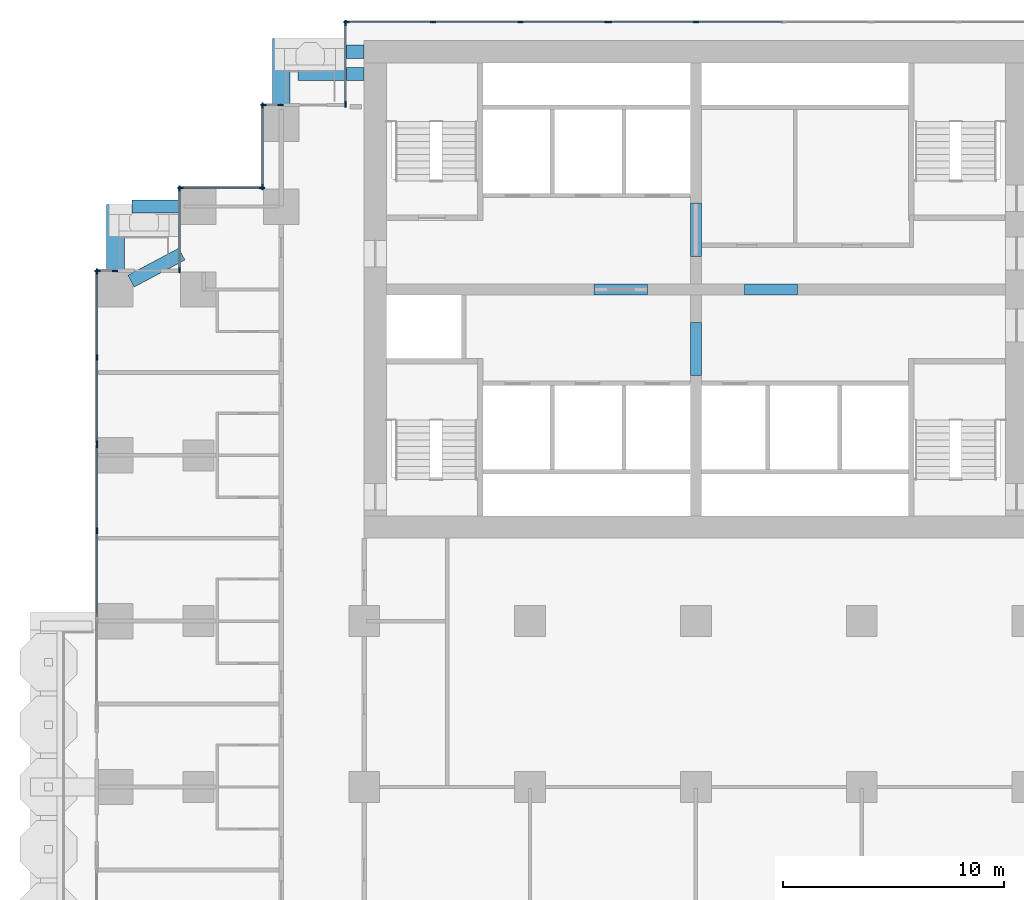
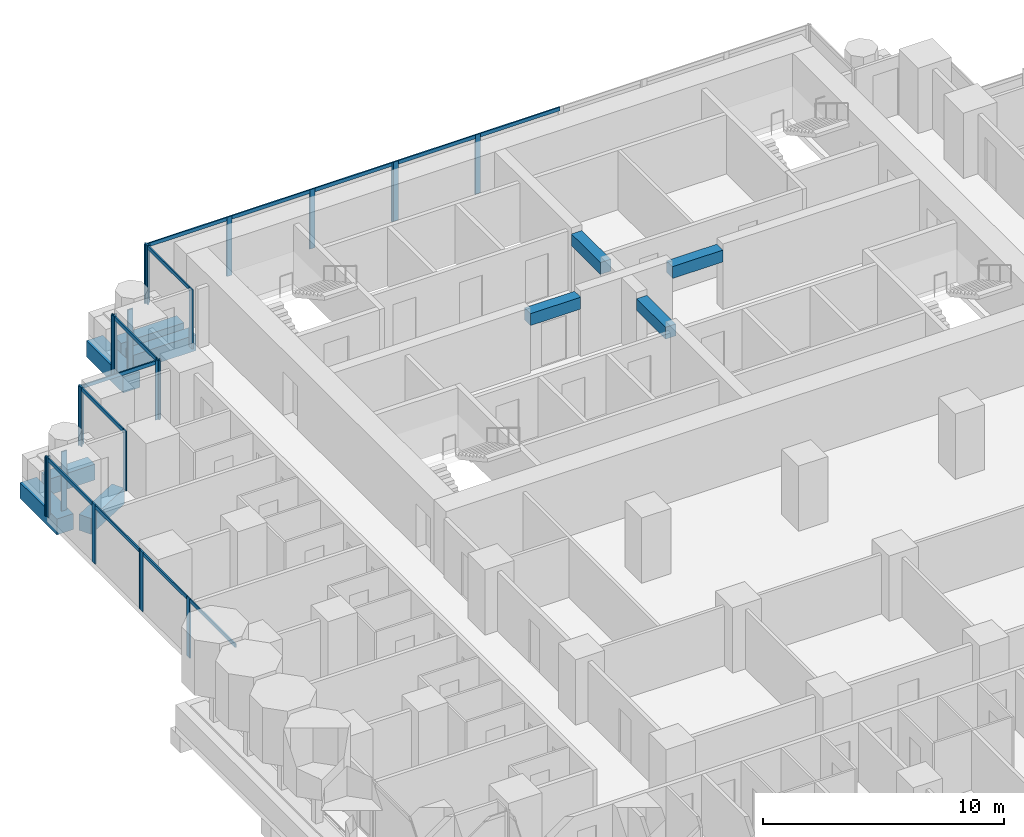
# One storey, part 4 of 19: 36 members, 10 beams, 10 elements without a shape of their own.
"""IFC4 building model written with IfcOpenShell, lengths in metres."""

import ifcopenshell
import ifcopenshell.guid

model = None  # the IFC model being written
_history = None  # IfcOwnerHistory: only IFC2X3 demands one
_inside = {}  # id of a spatial element -> (the spatial element, [elements in it])
_under = {}  # id of a project, library or spatial element -> (it, [spatial elements below it])
_declared = {}  # id of a project -> (the project, [libraries it declares])
_typed = {}  # id of a type object -> (the type object, [elements of that type])
_made_of = {}  # id of a material, layer set ... -> (it, [elements and type objects made of it])


def new_model(schema):
    """Start an empty IFC model of exactly this schema.

    Asked for "IFC4X3", IfcOpenShell would pick the latest addendum, in which some entities
    have other attributes; the version numbers below select the first issue.
    IFC2X3 requires an IfcOwnerHistory on every rooted entity: one is made here for all.
    """
    global model, _history
    if schema == "IFC4X3":
        model = ifcopenshell.file(schema_version=(4, 3, 0, 0))
    else:
        model = ifcopenshell.file(schema=schema)
    _inside.clear()
    _under.clear()
    _declared.clear()
    _typed.clear()
    _made_of.clear()
    _history = None
    if model.schema == "IFC2X3":
        org = make("IfcOrganization", Name="unknown")
        user = make(
            "IfcPersonAndOrganization",
            ThePerson=make("IfcPerson", FamilyName="unknown"),
            TheOrganization=org,
        )
        app = make(
            "IfcApplication",
            ApplicationDeveloper=org,
            Version="unknown",
            ApplicationFullName="unknown",
            ApplicationIdentifier="unknown",
        )
        _history = make(
            "IfcOwnerHistory",
            OwningUser=user,
            OwningApplication=app,
            ChangeAction="ADDED",
            CreationDate=0,
        )
    return model


def make(cls, **values):
    """One entity of the class cls with the attributes given. An attribute that is None is left unset."""
    return model.create_entity(
        cls, **{name: value for name, value in values.items() if value is not None}
    )


def rooted(cls, **values):
    """An entity with a GlobalId (a new one), such as an element, a storey or a relation."""
    return make(cls, GlobalId=ifcopenshell.guid.new(), OwnerHistory=_history, **values)


def si_unit(unit_type, name, prefix=None):
    """IfcSIUnit, for example si_unit("LENGTHUNIT", "METRE", prefix="MILLI")."""
    return make("IfcSIUnit", UnitType=unit_type, Prefix=prefix, Name=name)


def assignment(units):
    """IfcUnitAssignment: the units of a project."""
    return None if units is None else make("IfcUnitAssignment", Units=units)


def point(xyz):
    """IfcCartesianPoint."""
    return None if xyz is None else make("IfcCartesianPoint", Coordinates=xyz)


def direction(xyz):
    """IfcDirection."""
    return None if xyz is None else make("IfcDirection", DirectionRatios=xyz)


def frame(location, z_axis=None, x_axis=None):
    """IfcAxis2Placement3D, a coordinate frame: its origin and axes. An axis left out is left unset."""
    return make(
        "IfcAxis2Placement3D",
        Location=point(location),
        Axis=direction(z_axis),
        RefDirection=direction(x_axis),
    )


def frame_2d(location, x_axis=None):
    """IfcAxis2Placement2D, a coordinate frame in the plane: its origin and x axis."""
    return make(
        "IfcAxis2Placement2D", Location=point(location), RefDirection=direction(x_axis)
    )


def origin():
    """The frame at (0, 0, 0) with its axes left unset."""
    return frame((0.0, 0.0, 0.0))


def origin_2d():
    """The frame at (0, 0) in the plane with its x axis left unset."""
    return frame_2d((0.0, 0.0))


def place(relative_to, where):
    """IfcLocalPlacement: puts the frame where relative to a parent placement (None: the world)."""
    return make(
        "IfcLocalPlacement", PlacementRelTo=relative_to, RelativePlacement=where
    )


def context(
    kind, dimensions, precision=None, world=None, true_north=None, identifier=None
):
    """IfcGeometricRepresentationContext, for example the 3D "Model" context."""
    return make(
        "IfcGeometricRepresentationContext",
        ContextIdentifier=identifier,
        ContextType=kind,
        CoordinateSpaceDimension=dimensions,
        Precision=precision,
        WorldCoordinateSystem=world,
        TrueNorth=true_north,
    )


def subcontext(parent, identifier, kind, view, scale=None):
    """IfcGeometricRepresentationSubContext, for example "Body" below "Model"."""
    return make(
        "IfcGeometricRepresentationSubContext",
        ContextIdentifier=identifier,
        ContextType=kind,
        ParentContext=parent,
        TargetScale=scale,
        TargetView=view,
    )


def project(units=None, contexts=None):
    """IfcProject with its units and contexts."""
    return rooted(
        "IfcProject",
        Name="project",
        RepresentationContexts=contexts,
        UnitsInContext=assignment(units),
    )


def spatial(cls, under=None, at=None, **own):
    """A site, building, storey or space (cls), placed at a placement, below another one or the project."""
    s = rooted(cls, ObjectPlacement=at, **own)
    if under is not None:
        _under.setdefault(under.id(), (under, []))[1].append(s)
    return s


def profile(cls, at=None, kind="AREA", **sizes):
    """A parametric profile (cls). Its sizes go by their IFC names, for example OverallWidth=200.0."""
    return make(cls, ProfileType=kind, Position=at, **sizes)


def rectangle(**sizes):
    """IfcRectangleProfileDef."""
    return profile("IfcRectangleProfileDef", **sizes)


def extrude(swept, where, along, depth):
    """IfcExtrudedAreaSolid: the profile swept, set in the frame where, extruded along a direction by depth."""
    return make(
        "IfcExtrudedAreaSolid",
        SweptArea=swept,
        Position=where,
        ExtrudedDirection=direction(along),
        Depth=depth,
    )


def shape(context_of_items, identifier, shape_type, items):
    """IfcShapeRepresentation: the items that make up one representation, for example the "Body"."""
    return make(
        "IfcShapeRepresentation",
        ContextOfItems=context_of_items,
        RepresentationIdentifier=identifier,
        RepresentationType=shape_type,
        Items=items,
    )


def material(Name=None, Category=None):
    """IfcMaterial."""
    return make("IfcMaterial", Name=Name, Category=Category)


def material_profile(
    of_material, cross_section, Name=None, Category=None, Priority=None
):
    """IfcMaterialProfile: a cross section and its material."""
    return make(
        "IfcMaterialProfile",
        Name=Name,
        Material=of_material,
        Profile=cross_section,
        Priority=Priority,
        Category=Category,
    )


def profile_set(profiles, Name=None, composite=None):
    """IfcMaterialProfileSet."""
    return make(
        "IfcMaterialProfileSet",
        Name=Name,
        MaterialProfiles=profiles,
        CompositeProfile=composite,
    )


def made_of(thing, what):
    """Note that an element or type object is made of a material, layer set ...; save() writes the relation."""
    if what is not None:
        _made_of.setdefault(what.id(), (what, []))[1].append(thing)
    return thing


def type_object(cls, material=None, **own):
    """A type object (cls), such as IfcWallType, which elements share."""
    return made_of(rooted(cls, **own), material)


def element(
    cls,
    number,
    at=None,
    inside=None,
    cuts=None,
    type_object=None,
    material=None,
    context=None,
    identifier="Body",
    shape_type=None,
    held_by="IfcProductDefinitionShape",
    body=None,
    shapes=None,
    **own,
):
    """One element of the class cls, such as IfcWall. Its Tag is "e" and its number.

    at: its placement. inside: the storey or other place that contains it. cuts: it is an
    opening in that element (IfcRelVoidsElement). A single representation is given by context,
    identifier, shape_type and body (its items); several are given by shapes. held_by: the class
    of the entity that holds the representations. save() writes the other relations.
    """
    e = rooted(cls, Tag="e%d" % number, ObjectPlacement=at, **own)
    if body is not None:
        shapes = [shape(context, identifier, shape_type, body)]
    if shapes is not None:
        e.Representation = make(held_by, Representations=shapes)
    if inside is not None:
        _inside.setdefault(inside.id(), (inside, []))[1].append(e)
    if cuts is not None:
        rooted(
            "IfcRelVoidsElement", RelatingBuildingElement=cuts, RelatedOpeningElement=e
        )
    if type_object is not None:
        _typed.setdefault(type_object.id(), (type_object, []))[1].append(e)
    return made_of(e, material)


def aggregate(whole, parts):
    """IfcRelAggregates: a whole, such as a stair, and the parts it consists of."""
    return rooted("IfcRelAggregates", RelatingObject=whole, RelatedObjects=parts)


def save(model, path):
    """Write the relations noted so far, then the file.

    IfcRelAggregates (storeys below a building ...), IfcRelContainedInSpatialStructure (elements
    in a storey), IfcRelDefinesByType, IfcRelAssociatesMaterial and IfcRelDeclares: one each for
    every whole, place, type object, material and project.
    """
    for whole, parts in _under.values():
        aggregate(whole, parts)
    for where, things in _inside.values():
        rooted(
            "IfcRelContainedInSpatialStructure",
            RelatedElements=things,
            RelatingStructure=where,
        )
    for kind, things in _typed.values():
        rooted("IfcRelDefinesByType", RelatedObjects=things, RelatingType=kind)
    for what, things in _made_of.values():
        rooted("IfcRelAssociatesMaterial", RelatedObjects=things, RelatingMaterial=what)
    for by, libraries in _declared.values():
        rooted("IfcRelDeclares", RelatingContext=by, RelatedDefinitions=libraries)
    model.write(path)


model = new_model("IFC4")

# Units and contexts
model_context = context("Model", 3, precision=1e-05, world=origin(), true_north=direction((0.0, 1.0)))
body_context = subcontext(model_context, "Body", "Model", "MODEL_VIEW")
ifc_project = project(units=[si_unit("LENGTHUNIT", "METRE"), si_unit("AREAUNIT", "SQUARE_METRE"), si_unit("VOLUMEUNIT", "CUBIC_METRE"), si_unit("PLANEANGLEUNIT", "RADIAN"), si_unit("MASSUNIT", "GRAM", prefix="KILO")], contexts=[model_context])

# Site, building, storey
site_placement = place(None, origin())
site = spatial("IfcSite", under=ifc_project, at=site_placement, CompositionType="ELEMENT")
building_placement = place(site_placement, origin())
building = spatial("IfcBuilding", under=site, at=building_placement, Name="Pilkhan Gate Tower", CompositionType="ELEMENT")
storey_placement = place(building_placement, frame((0.0, 0.0, 46.10009765625)))
storey = spatial("IfcBuildingStorey", under=building, at=storey_placement, Name="L08", CompositionType="ELEMENT", Elevation=46.10009765625)

# Beams
ifc_material_1 = material(Name="Concrete C50/60", Category="concrete")
ifc_material_profile_1 = material_profile(ifc_material_1, rectangle(XDim=0.60009765625, YDim=0.800048828125, at=origin_2d()), Name="RC 600x800")
ifc_profile_set_1 = profile_set([ifc_material_profile_1], Name="Concrete C50/60")
beam_type_1 = type_object("IfcBeamType", Name="Cantilever beam CB1 RC 600x800 C50/60", PredefinedType="BEAM", material=ifc_profile_set_1)
for number, where, z_axis, x_axis, name in (
    (1, (60.0, 93.25, -0.7001953125), (-1.0, 0.0, 0.0), (0.0, -1.0, 0.0), "Balcony beam NW.2 L08"),
    (2, (60.0, 92.25, -0.7001953125), (-1.0, 0.0, 0.0), (0.0, -1.0, 0.0), "Balcony beam NW.3 L08"),
):
    element("IfcBeam", number, at=place(storey_placement, frame(where, z_axis=z_axis, x_axis=x_axis)), inside=storey, type_object=beam_type_1, Name=name, PredefinedType="BEAM", context=body_context, shape_type="SweptSolid", body=[
        extrude(rectangle(XDim=0.60009765625, YDim=0.800048828125, at=origin_2d()), origin(), (0.0, 0.0, 1.0), 3.0),
    ])
beam_1_placement = place(storey_placement, frame((51.699951171875, 86.25, -0.7001953125), z_axis=(-1.0, 0.0, 0.0), x_axis=(0.0, -1.0, 0.0)))
element("IfcBeam", 3, at=beam_1_placement, inside=storey, type_object=beam_type_1, Name="Balcony beam NW2.2 L08", PredefinedType="BEAM", context=body_context, shape_type="SweptSolid", body=[
    extrude(rectangle(XDim=0.60009765625, YDim=0.800048828125, at=origin_2d()), origin(), (0.0, 0.0, 1.0), 2.199951171875),
])
beam_2_placement = place(storey_placement, frame((49.455810546875, 82.87646484375, -0.7001953125), z_axis=(0.882342544151, 0.470607729199, 0.0), x_axis=(-0.470607729199, 0.882342544151, 0.0)))
element("IfcBeam", 4, at=beam_2_placement, inside=storey, type_object=beam_type_1, Name="Balcony beam NW2.3 L08", PredefinedType="BEAM", context=body_context, shape_type="SweptSolid", body=[
    extrude(rectangle(XDim=0.60009765625, YDim=0.800048828125, at=origin_2d()), origin(), (0.0, 0.0, 1.0), 2.60009765625),
])
ifc_material_profile_2 = material_profile(ifc_material_1, rectangle(XDim=0.800048828125, YDim=0.800048828125, at=origin_2d()), Name="RC 800x800")
ifc_profile_set_2 = profile_set([ifc_material_profile_2], Name="Concrete C50/60")
beam_type_2 = type_object("IfcBeamType", Name="Cantilever beam CB2 RC 800x800 C50/60", PredefinedType="BEAM", material=ifc_profile_set_2)
for number, where, z_axis, x_axis, name in (
    (5, (56.25, 90.800048828125, -0.7001953125), (0.0, 1.0, 0.0), (-1.0, 0.0, 0.0), "Balcony beam NW.1 L08"),
    (6, (48.75, 83.300048828125, -0.7001953125), (0.0, 1.0, 0.0), (-1.0, 0.0, 0.0), "Balcony beam NW2.1 L08"),
):
    element("IfcBeam", number, at=place(storey_placement, frame(where, z_axis=z_axis, x_axis=x_axis)), inside=storey, type_object=beam_type_2, Name=name, PredefinedType="BEAM", context=body_context, shape_type="SweptSolid", body=[
        extrude(rectangle(XDim=0.800048828125, YDim=0.800048828125, at=origin_2d()), origin(), (0.0, 0.0, 1.0), 3.050048828125),
    ])
ifc_material_2 = material(Name="Concrete C70/85", Category="concrete")
ifc_material_profile_3 = material_profile(ifc_material_2, rectangle(XDim=0.5, YDim=0.60009765625, at=origin_2d()), Name="RC 500x600")
ifc_profile_set_3 = profile_set([ifc_material_profile_3], Name="Concrete C70/85")
beam_type_3 = type_object("IfcBeamType", Name="Coupling beam CB60 RC 500x600 C70/85", PredefinedType="LINTEL", material=ifc_profile_set_3)
for number, where, z_axis, x_axis, name in (
    (7, (70.39990234375, 82.5, 2.699951171875), (1.0, 0.0, 0.0), (0.0, 1.0, 0.0), "Coupling beam 1 L08"),
    (8, (77.199951171875, 82.5, 2.699951171875), (1.0, 0.0, 0.0), (0.0, 1.0, 0.0), "Coupling beam 2 L08"),
):
    element("IfcBeam", number, at=place(storey_placement, frame(where, z_axis=z_axis, x_axis=x_axis)), inside=storey, type_object=beam_type_3, Name=name, PredefinedType="LINTEL", context=body_context, shape_type="SweptSolid", body=[
        extrude(rectangle(XDim=0.5, YDim=0.60009765625, at=origin_2d()), origin(), (0.0, 0.0, 1.0), 2.400146484375),
    ])
for number, where, z_axis, x_axis, name in (
    (9, (75.0, 78.60009765625, 2.699951171875), (0.0, 1.0, 0.0), (-1.0, 0.0, 0.0), "Coupling beam 3 L08"),
    (10, (75.0, 84.0, 2.699951171875), (0.0, 1.0, 0.0), (-1.0, 0.0, 0.0), "Coupling beam 4 L08"),
):
    element("IfcBeam", number, at=place(storey_placement, frame(where, z_axis=z_axis, x_axis=x_axis)), inside=storey, type_object=beam_type_3, Name=name, PredefinedType="LINTEL", context=body_context, shape_type="SweptSolid", body=[
        extrude(rectangle(XDim=0.5, YDim=0.60009765625, at=origin_2d()), origin(), (0.0, 0.0, 1.0), 2.39990234375),
    ])

# Curtain wall, members
ifc_material_3 = material(Name="Pale anodised aluminium, clear low-iron double glazing", Category="aluminium")
curtain_wall_type = type_object("IfcCurtainWallType", Name="Hotel unitised curtain wall CW-H", PredefinedType="USERDEFINED", material=ifc_material_3)
curtain_wall_1_placement = place(storey_placement, origin())
curtain_wall_1 = element("IfcCurtainWall", 11, at=curtain_wall_1_placement, inside=storey, type_object=curtain_wall_type, Name="Hotel unitised curtain wall CW-H L08 N", ObjectType="UNITISED CURTAIN WALL", PredefinedType="USERDEFINED")
ifc_material_4 = material(Name="Pale anodised aluminium", Category="aluminium")
ifc_material_profile_4 = material_profile(ifc_material_4, rectangle(XDim=0.06494140625, YDim=0.25, at=origin_2d()), Name="Mullion 250x65")
ifc_profile_set_4 = profile_set([ifc_material_profile_4], Name="Pale anodised aluminium")
member_type_1 = type_object("IfcMemberType", Name="Mullion CW-H 250x65", PredefinedType="MULLION", material=ifc_profile_set_4)
member_1_placement = place(storey_placement, frame((59.1875, 94.594970703125, 0.0), z_axis=(0.0, 0.0, 1.0), x_axis=(0.0, 1.0, 0.0)))
member_1 = element("IfcMember", 12, at=member_1_placement, type_object=member_type_1, Name="CW-H mullion 1", PredefinedType="MULLION", context=body_context, shape_type="SweptSolid", body=[
    extrude(rectangle(XDim=0.06494140625, YDim=0.25, at=origin_2d()), origin(), (0.0, 0.0, 1.0), 3.0),
])
member_2_placement = place(storey_placement, frame((63.1162109375, 94.594970703125, 0.0), z_axis=(0.0, 0.0, 1.0), x_axis=(0.0, 1.0, 0.0)))
member_2 = element("IfcMember", 13, at=member_2_placement, type_object=member_type_1, Name="CW-H mullion 2", PredefinedType="MULLION", context=body_context, shape_type="SweptSolid", body=[
    extrude(rectangle(XDim=0.06494140625, YDim=0.25, at=origin_2d()), origin(), (0.0, 0.0, 1.0), 3.0),
])
member_3_placement = place(storey_placement, frame((67.077392578125, 94.594970703125, 0.0), z_axis=(0.0, 0.0, 1.0), x_axis=(0.0, 1.0, 0.0)))
member_3 = element("IfcMember", 14, at=member_3_placement, type_object=member_type_1, Name="CW-H mullion 3", PredefinedType="MULLION", context=body_context, shape_type="SweptSolid", body=[
    extrude(rectangle(XDim=0.06494140625, YDim=0.25, at=origin_2d()), origin(), (0.0, 0.0, 1.0), 3.0),
])
member_4_placement = place(storey_placement, frame((71.00634765625, 94.594970703125, 0.0), z_axis=(0.0, 0.0, 1.0), x_axis=(0.0, 1.0, 0.0)))
member_4 = element("IfcMember", 15, at=member_4_placement, type_object=member_type_1, Name="CW-H mullion 4", PredefinedType="MULLION", context=body_context, shape_type="SweptSolid", body=[
    extrude(rectangle(XDim=0.06494140625, YDim=0.25, at=origin_2d()), origin(), (0.0, 0.0, 1.0), 3.0),
])

curtain_wall_2_placement = place(storey_placement, origin())
curtain_wall_2 = element("IfcCurtainWall", 16, at=curtain_wall_2_placement, inside=storey, type_object=curtain_wall_type, Name="Hotel unitised curtain wall CW-H L08 N", ObjectType="UNITISED CURTAIN WALL", PredefinedType="USERDEFINED")
member_5_placement = place(storey_placement, frame((71.0712890625, 94.594970703125, 0.0), z_axis=(0.0, 0.0, 1.0), x_axis=(0.0, 1.0, 0.0)))
member_5 = element("IfcMember", 17, at=member_5_placement, type_object=member_type_1, Name="CW-H mullion 1", PredefinedType="MULLION", context=body_context, shape_type="SweptSolid", body=[
    extrude(rectangle(XDim=0.06494140625, YDim=0.25, at=origin_2d()), origin(), (0.0, 0.0, 1.0), 3.0),
])
member_6_placement = place(storey_placement, frame((75.0, 94.594970703125, 0.0), z_axis=(0.0, 0.0, 1.0), x_axis=(0.0, 1.0, 0.0)))
member_6 = element("IfcMember", 18, at=member_6_placement, type_object=member_type_1, Name="CW-H mullion 2", PredefinedType="MULLION", context=body_context, shape_type="SweptSolid", body=[
    extrude(rectangle(XDim=0.06494140625, YDim=0.25, at=origin_2d()), origin(), (0.0, 0.0, 1.0), 3.0),
])

curtain_wall_3_placement = place(storey_placement, origin())
curtain_wall_3 = element("IfcCurtainWall", 19, at=curtain_wall_3_placement, inside=storey, type_object=curtain_wall_type, Name="Hotel unitised curtain wall CW-H L08 W", ObjectType="UNITISED CURTAIN WALL", PredefinedType="USERDEFINED")
member_7_placement = place(storey_placement, frame((59.155029296875, 90.87744140625, 0.0), z_axis=(0.0, 0.0, 1.0), x_axis=(-1.0, 0.0, 0.0)))
member_7 = element("IfcMember", 20, at=member_7_placement, type_object=member_type_1, Name="CW-H mullion 1", PredefinedType="MULLION", context=body_context, shape_type="SweptSolid", body=[
    extrude(rectangle(XDim=0.06494140625, YDim=0.25, at=origin_2d()), origin(), (0.0, 0.0, 1.0), 3.0),
])
member_8_placement = place(storey_placement, frame((59.155029296875, 94.5625, 0.0), z_axis=(0.0, 0.0, 1.0), x_axis=(-1.0, 0.0, 0.0)))
member_8 = element("IfcMember", 21, at=member_8_placement, type_object=member_type_1, Name="CW-H mullion 2", PredefinedType="MULLION", context=body_context, shape_type="SweptSolid", body=[
    extrude(rectangle(XDim=0.06494140625, YDim=0.25, at=origin_2d()), origin(), (0.0, 0.0, 1.0), 3.0),
])

curtain_wall_4_placement = place(storey_placement, origin())
curtain_wall_4 = element("IfcCurtainWall", 22, at=curtain_wall_4_placement, inside=storey, type_object=curtain_wall_type, Name="Hotel unitised curtain wall CW-H L08 N", ObjectType="UNITISED CURTAIN WALL", PredefinedType="USERDEFINED")
member_9_placement = place(storey_placement, frame((55.4375, 90.844970703125, 0.0), z_axis=(0.0, 0.0, 1.0), x_axis=(0.0, 1.0, 0.0)))
member_9 = element("IfcMember", 23, at=member_9_placement, type_object=member_type_1, Name="CW-H mullion 1", PredefinedType="MULLION", context=body_context, shape_type="SweptSolid", body=[
    extrude(rectangle(XDim=0.06494140625, YDim=0.25, at=origin_2d()), origin(), (0.0, 0.0, 1.0), 3.0),
])
member_10_placement = place(storey_placement, frame((56.217529296875, 90.844970703125, 0.0), z_axis=(0.0, 0.0, 1.0), x_axis=(0.0, 1.0, 0.0)))
member_10 = element("IfcMember", 24, at=member_10_placement, type_object=member_type_1, Name="CW-H mullion 2", PredefinedType="MULLION", context=body_context, shape_type="SweptSolid", body=[
    extrude(rectangle(XDim=0.06494140625, YDim=0.25, at=origin_2d()), origin(), (0.0, 0.0, 1.0), 3.0),
])
aggregate(curtain_wall_4, [member_9, member_10])

curtain_wall_5_placement = place(storey_placement, origin())
curtain_wall_5 = element("IfcCurtainWall", 25, at=curtain_wall_5_placement, inside=storey, type_object=curtain_wall_type, Name="Hotel unitised curtain wall CW-H L08 W", ObjectType="UNITISED CURTAIN WALL", PredefinedType="USERDEFINED")
member_11_placement = place(storey_placement, frame((55.405029296875, 87.12744140625, 0.0), z_axis=(0.0, 0.0, 1.0), x_axis=(-1.0, 0.0, 0.0)))
member_11 = element("IfcMember", 26, at=member_11_placement, type_object=member_type_1, Name="CW-H mullion 1", PredefinedType="MULLION", context=body_context, shape_type="SweptSolid", body=[
    extrude(rectangle(XDim=0.06494140625, YDim=0.25, at=origin_2d()), origin(), (0.0, 0.0, 1.0), 3.0),
])
member_12_placement = place(storey_placement, frame((55.405029296875, 90.8125, 0.0), z_axis=(0.0, 0.0, 1.0), x_axis=(-1.0, 0.0, 0.0)))
member_12 = element("IfcMember", 27, at=member_12_placement, type_object=member_type_1, Name="CW-H mullion 2", PredefinedType="MULLION", context=body_context, shape_type="SweptSolid", body=[
    extrude(rectangle(XDim=0.06494140625, YDim=0.25, at=origin_2d()), origin(), (0.0, 0.0, 1.0), 3.0),
])

curtain_wall_6_placement = place(storey_placement, origin())
curtain_wall_6 = element("IfcCurtainWall", 28, at=curtain_wall_6_placement, inside=storey, type_object=curtain_wall_type, Name="Hotel unitised curtain wall CW-H L08 N", ObjectType="UNITISED CURTAIN WALL", PredefinedType="USERDEFINED")
member_13_placement = place(storey_placement, frame((51.6875, 87.094970703125, 0.0), z_axis=(0.0, 0.0, 1.0), x_axis=(0.0, 1.0, 0.0)))
member_13 = element("IfcMember", 29, at=member_13_placement, type_object=member_type_1, Name="CW-H mullion 1", PredefinedType="MULLION", context=body_context, shape_type="SweptSolid", body=[
    extrude(rectangle(XDim=0.06494140625, YDim=0.25, at=origin_2d()), origin(), (0.0, 0.0, 1.0), 3.0),
])
member_14_placement = place(storey_placement, frame((55.37255859375, 87.094970703125, 0.0), z_axis=(0.0, 0.0, 1.0), x_axis=(0.0, 1.0, 0.0)))
member_14 = element("IfcMember", 30, at=member_14_placement, type_object=member_type_1, Name="CW-H mullion 2", PredefinedType="MULLION", context=body_context, shape_type="SweptSolid", body=[
    extrude(rectangle(XDim=0.06494140625, YDim=0.25, at=origin_2d()), origin(), (0.0, 0.0, 1.0), 3.0),
])

curtain_wall_7_placement = place(storey_placement, origin())
curtain_wall_7 = element("IfcCurtainWall", 31, at=curtain_wall_7_placement, inside=storey, type_object=curtain_wall_type, Name="Hotel unitised curtain wall CW-H L08 W", ObjectType="UNITISED CURTAIN WALL", PredefinedType="USERDEFINED")
member_15_placement = place(storey_placement, frame((51.655029296875, 83.37744140625, 0.0), z_axis=(0.0, 0.0, 1.0), x_axis=(-1.0, 0.0, 0.0)))
member_15 = element("IfcMember", 32, at=member_15_placement, type_object=member_type_1, Name="CW-H mullion 1", PredefinedType="MULLION", context=body_context, shape_type="SweptSolid", body=[
    extrude(rectangle(XDim=0.06494140625, YDim=0.25, at=origin_2d()), origin(), (0.0, 0.0, 1.0), 3.0),
])
member_16_placement = place(storey_placement, frame((51.655029296875, 87.0625, 0.0), z_axis=(0.0, 0.0, 1.0), x_axis=(-1.0, 0.0, 0.0)))
member_16 = element("IfcMember", 33, at=member_16_placement, type_object=member_type_1, Name="CW-H mullion 2", PredefinedType="MULLION", context=body_context, shape_type="SweptSolid", body=[
    extrude(rectangle(XDim=0.06494140625, YDim=0.25, at=origin_2d()), origin(), (0.0, 0.0, 1.0), 3.0),
])

curtain_wall_8_placement = place(storey_placement, origin())
curtain_wall_8 = element("IfcCurtainWall", 34, at=curtain_wall_8_placement, inside=storey, type_object=curtain_wall_type, Name="Hotel unitised curtain wall CW-H L08 N", ObjectType="UNITISED CURTAIN WALL", PredefinedType="USERDEFINED")
member_17_placement = place(storey_placement, frame((47.9375, 83.344970703125, 0.0), z_axis=(0.0, 0.0, 1.0), x_axis=(0.0, 1.0, 0.0)))
member_17 = element("IfcMember", 35, at=member_17_placement, type_object=member_type_1, Name="CW-H mullion 1", PredefinedType="MULLION", context=body_context, shape_type="SweptSolid", body=[
    extrude(rectangle(XDim=0.06494140625, YDim=0.25, at=origin_2d()), origin(), (0.0, 0.0, 1.0), 3.0),
])
member_18_placement = place(storey_placement, frame((48.717529296875, 83.344970703125, 0.0), z_axis=(0.0, 0.0, 1.0), x_axis=(0.0, 1.0, 0.0)))
member_18 = element("IfcMember", 36, at=member_18_placement, type_object=member_type_1, Name="CW-H mullion 2", PredefinedType="MULLION", context=body_context, shape_type="SweptSolid", body=[
    extrude(rectangle(XDim=0.06494140625, YDim=0.25, at=origin_2d()), origin(), (0.0, 0.0, 1.0), 3.0),
])
aggregate(curtain_wall_8, [member_17, member_18])

curtain_wall_9_placement = place(storey_placement, origin())
curtain_wall_9 = element("IfcCurtainWall", 37, at=curtain_wall_9_placement, inside=storey, type_object=curtain_wall_type, Name="Hotel unitised curtain wall CW-H L08 W", ObjectType="UNITISED CURTAIN WALL", PredefinedType="USERDEFINED")
member_19_placement = place(storey_placement, frame((47.905029296875, 71.587890625, 0.0), z_axis=(0.0, 0.0, 1.0), x_axis=(-1.0, 0.0, 0.0)))
member_19 = element("IfcMember", 38, at=member_19_placement, type_object=member_type_1, Name="CW-H mullion 3", PredefinedType="MULLION", context=body_context, shape_type="SweptSolid", body=[
    extrude(rectangle(XDim=0.06494140625, YDim=0.25, at=origin_2d()), origin(), (0.0, 0.0, 1.0), 3.0),
])
member_20_placement = place(storey_placement, frame((47.905029296875, 75.474609375, 0.0), z_axis=(0.0, 0.0, 1.0), x_axis=(-1.0, 0.0, 0.0)))
member_20 = element("IfcMember", 39, at=member_20_placement, type_object=member_type_1, Name="CW-H mullion 4", PredefinedType="MULLION", context=body_context, shape_type="SweptSolid", body=[
    extrude(rectangle(XDim=0.06494140625, YDim=0.25, at=origin_2d()), origin(), (0.0, 0.0, 1.0), 3.0),
])

curtain_wall_10_placement = place(storey_placement, origin())
curtain_wall_10 = element("IfcCurtainWall", 40, at=curtain_wall_10_placement, inside=storey, type_object=curtain_wall_type, Name="Hotel unitised curtain wall CW-H L08 W", ObjectType="UNITISED CURTAIN WALL", PredefinedType="USERDEFINED")
member_21_placement = place(storey_placement, frame((47.905029296875, 75.53955078125, 0.0), z_axis=(0.0, 0.0, 1.0), x_axis=(-1.0, 0.0, 0.0)))
member_21 = element("IfcMember", 41, at=member_21_placement, type_object=member_type_1, Name="CW-H mullion 1", PredefinedType="MULLION", context=body_context, shape_type="SweptSolid", body=[
    extrude(rectangle(XDim=0.06494140625, YDim=0.25, at=origin_2d()), origin(), (0.0, 0.0, 1.0), 3.0),
])
member_22_placement = place(storey_placement, frame((47.905029296875, 79.426025390625, 0.0), z_axis=(0.0, 0.0, 1.0), x_axis=(-1.0, 0.0, 0.0)))
member_22 = element("IfcMember", 42, at=member_22_placement, type_object=member_type_1, Name="CW-H mullion 2", PredefinedType="MULLION", context=body_context, shape_type="SweptSolid", body=[
    extrude(rectangle(XDim=0.06494140625, YDim=0.25, at=origin_2d()), origin(), (0.0, 0.0, 1.0), 3.0),
])
member_23_placement = place(storey_placement, frame((47.905029296875, 83.3125, 0.0), z_axis=(0.0, 0.0, 1.0), x_axis=(-1.0, 0.0, 0.0)))
member_23 = element("IfcMember", 43, at=member_23_placement, type_object=member_type_1, Name="CW-H mullion 3", PredefinedType="MULLION", context=body_context, shape_type="SweptSolid", body=[
    extrude(rectangle(XDim=0.06494140625, YDim=0.25, at=origin_2d()), origin(), (0.0, 0.0, 1.0), 3.0),
])

# Member
ifc_material_profile_5 = material_profile(ifc_material_4, rectangle(XDim=0.06494140625, YDim=0.179931640625, at=origin_2d()), Name="Transom 180x65")
ifc_profile_set_5 = profile_set([ifc_material_profile_5], Name="Pale anodised aluminium")
member_type_2 = type_object("IfcMemberType", Name="Transom CW-H 180x65", PredefinedType="USERDEFINED", material=ifc_profile_set_5)
member_24_placement = place(storey_placement, frame((59.219970703125, 94.594970703125, 2.909912109375), z_axis=(1.0, 0.0, 0.0), x_axis=(0.0, 1.0, 0.0)))
member_24 = element("IfcMember", 44, at=member_24_placement, type_object=member_type_2, Name="CW-H transom 1", ObjectType="TRANSOM", PredefinedType="USERDEFINED", context=body_context, shape_type="SweptSolid", body=[
    extrude(rectangle(XDim=0.06494140625, YDim=0.179931640625, at=origin_2d()), origin(), (0.0, 0.0, 1.0), 3.86376953125),
])

member_25_placement = place(storey_placement, frame((63.148681640625, 94.594970703125, 2.909912109375), z_axis=(1.0, 0.0, 0.0), x_axis=(0.0, 1.0, 0.0)))
member_25 = element("IfcMember", 45, at=member_25_placement, type_object=member_type_2, Name="CW-H transom 2", ObjectType="TRANSOM", PredefinedType="USERDEFINED", context=body_context, shape_type="SweptSolid", body=[
    extrude(rectangle(XDim=0.06494140625, YDim=0.179931640625, at=origin_2d()), origin(), (0.0, 0.0, 1.0), 3.896240234375),
])

member_26_placement = place(storey_placement, frame((67.110107421875, 94.594970703125, 2.909912109375), z_axis=(1.0, 0.0, 0.0), x_axis=(0.0, 1.0, 0.0)))
member_26 = element("IfcMember", 46, at=member_26_placement, type_object=member_type_2, Name="CW-H transom 3", ObjectType="TRANSOM", PredefinedType="USERDEFINED", context=body_context, shape_type="SweptSolid", body=[
    extrude(rectangle(XDim=0.06494140625, YDim=0.179931640625, at=origin_2d()), origin(), (0.0, 0.0, 1.0), 3.863525390625),
])

aggregate(curtain_wall_1, [member_1, member_2, member_3, member_4, member_24, member_25, member_26])

member_27_placement = place(storey_placement, frame((71.103759765625, 94.594970703125, 2.909912109375), z_axis=(1.0, 0.0, 0.0), x_axis=(0.0, 1.0, 0.0)))
member_27 = element("IfcMember", 47, at=member_27_placement, type_object=member_type_2, Name="CW-H transom 1", ObjectType="TRANSOM", PredefinedType="USERDEFINED", context=body_context, shape_type="SweptSolid", body=[
    extrude(rectangle(XDim=0.06494140625, YDim=0.179931640625, at=origin_2d()), origin(), (0.0, 0.0, 1.0), 3.86376953125),
])

member_28_placement = place(storey_placement, frame((75.032470703125, 94.594970703125, 2.909912109375), z_axis=(1.0, 0.0, 0.0), x_axis=(0.0, 1.0, 0.0)))
member_28 = element("IfcMember", 48, at=member_28_placement, type_object=member_type_2, Name="CW-H transom 2", ObjectType="TRANSOM", PredefinedType="USERDEFINED", context=body_context, shape_type="SweptSolid", body=[
    extrude(rectangle(XDim=0.06494140625, YDim=0.179931640625, at=origin_2d()), origin(), (0.0, 0.0, 1.0), 3.896240234375),
])

aggregate(curtain_wall_2, [member_5, member_6, member_27, member_28])

member_29_placement = place(storey_placement, frame((59.155029296875, 90.909912109375, 2.909912109375), z_axis=(0.0, 1.0, 0.0), x_axis=(-1.0, 0.0, 0.0)))
member_29 = element("IfcMember", 49, at=member_29_placement, type_object=member_type_2, Name="CW-H transom 1", ObjectType="TRANSOM", PredefinedType="USERDEFINED", context=body_context, shape_type="SweptSolid", body=[
    extrude(rectangle(XDim=0.06494140625, YDim=0.179931640625, at=origin_2d()), origin(), (0.0, 0.0, 1.0), 3.6201171875),
])

aggregate(curtain_wall_3, [member_7, member_8, member_29])

member_30_placement = place(storey_placement, frame((55.405029296875, 87.159912109375, 2.909912109375), z_axis=(0.0, 1.0, 0.0), x_axis=(-1.0, 0.0, 0.0)))
member_30 = element("IfcMember", 50, at=member_30_placement, type_object=member_type_2, Name="CW-H transom 1", ObjectType="TRANSOM", PredefinedType="USERDEFINED", context=body_context, shape_type="SweptSolid", body=[
    extrude(rectangle(XDim=0.06494140625, YDim=0.179931640625, at=origin_2d()), origin(), (0.0, 0.0, 1.0), 3.6201171875),
])

aggregate(curtain_wall_5, [member_11, member_12, member_30])

member_31_placement = place(storey_placement, frame((51.719970703125, 87.094970703125, 2.909912109375), z_axis=(1.0, 0.0, 0.0), x_axis=(0.0, 1.0, 0.0)))
member_31 = element("IfcMember", 51, at=member_31_placement, type_object=member_type_2, Name="CW-H transom 1", ObjectType="TRANSOM", PredefinedType="USERDEFINED", context=body_context, shape_type="SweptSolid", body=[
    extrude(rectangle(XDim=0.06494140625, YDim=0.179931640625, at=origin_2d()), origin(), (0.0, 0.0, 1.0), 3.6201171875),
])

aggregate(curtain_wall_6, [member_13, member_14, member_31])

member_32_placement = place(storey_placement, frame((51.655029296875, 83.409912109375, 2.909912109375), z_axis=(0.0, 1.0, 0.0), x_axis=(-1.0, 0.0, 0.0)))
member_32 = element("IfcMember", 52, at=member_32_placement, type_object=member_type_2, Name="CW-H transom 1", ObjectType="TRANSOM", PredefinedType="USERDEFINED", context=body_context, shape_type="SweptSolid", body=[
    extrude(rectangle(XDim=0.06494140625, YDim=0.179931640625, at=origin_2d()), origin(), (0.0, 0.0, 1.0), 3.6201171875),
])

aggregate(curtain_wall_7, [member_15, member_16, member_32])

member_33_placement = place(storey_placement, frame((47.905029296875, 67.701416015625, 2.909912109375), z_axis=(0.0, 1.0, 0.0), x_axis=(-1.0, 0.0, 0.0)))
member_33 = element("IfcMember", 53, at=member_33_placement, type_object=member_type_2, Name="CW-H transom 2", ObjectType="TRANSOM", PredefinedType="USERDEFINED", context=body_context, shape_type="SweptSolid", body=[
    extrude(rectangle(XDim=0.06494140625, YDim=0.179931640625, at=origin_2d()), origin(), (0.0, 0.0, 1.0), 3.85400390625),
])

member_34_placement = place(storey_placement, frame((47.905029296875, 71.62060546875, 2.909912109375), z_axis=(0.0, 1.0, 0.0), x_axis=(-1.0, 0.0, 0.0)))
member_34 = element("IfcMember", 54, at=member_34_placement, type_object=member_type_2, Name="CW-H transom 3", ObjectType="TRANSOM", PredefinedType="USERDEFINED", context=body_context, shape_type="SweptSolid", body=[
    extrude(rectangle(XDim=0.06494140625, YDim=0.179931640625, at=origin_2d()), origin(), (0.0, 0.0, 1.0), 3.8212890625),
])

aggregate(curtain_wall_9, [member_19, member_20, member_33, member_34])

member_35_placement = place(storey_placement, frame((47.905029296875, 75.572021484375, 2.909912109375), z_axis=(0.0, 1.0, 0.0), x_axis=(-1.0, 0.0, 0.0)))
member_35 = element("IfcMember", 55, at=member_35_placement, type_object=member_type_2, Name="CW-H transom 1", ObjectType="TRANSOM", PredefinedType="USERDEFINED", context=body_context, shape_type="SweptSolid", body=[
    extrude(rectangle(XDim=0.06494140625, YDim=0.179931640625, at=origin_2d()), origin(), (0.0, 0.0, 1.0), 3.821533203125),
])

member_36_placement = place(storey_placement, frame((47.905029296875, 79.45849609375, 2.909912109375), z_axis=(0.0, 1.0, 0.0), x_axis=(-1.0, 0.0, 0.0)))
member_36 = element("IfcMember", 56, at=member_36_placement, type_object=member_type_2, Name="CW-H transom 2", ObjectType="TRANSOM", PredefinedType="USERDEFINED", context=body_context, shape_type="SweptSolid", body=[
    extrude(rectangle(XDim=0.06494140625, YDim=0.179931640625, at=origin_2d()), origin(), (0.0, 0.0, 1.0), 3.821533203125),
])

aggregate(curtain_wall_10, [member_21, member_22, member_23, member_35, member_36])

save(model, "model.ifc")
